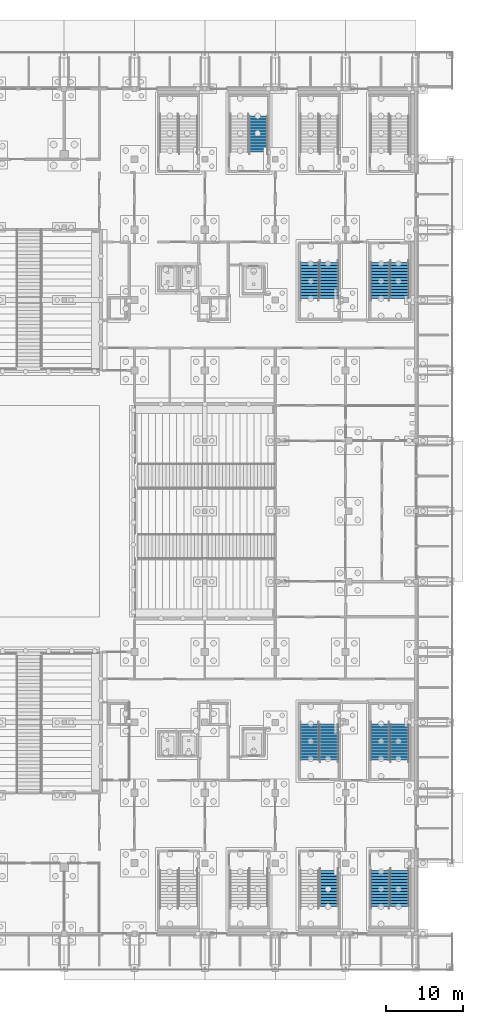
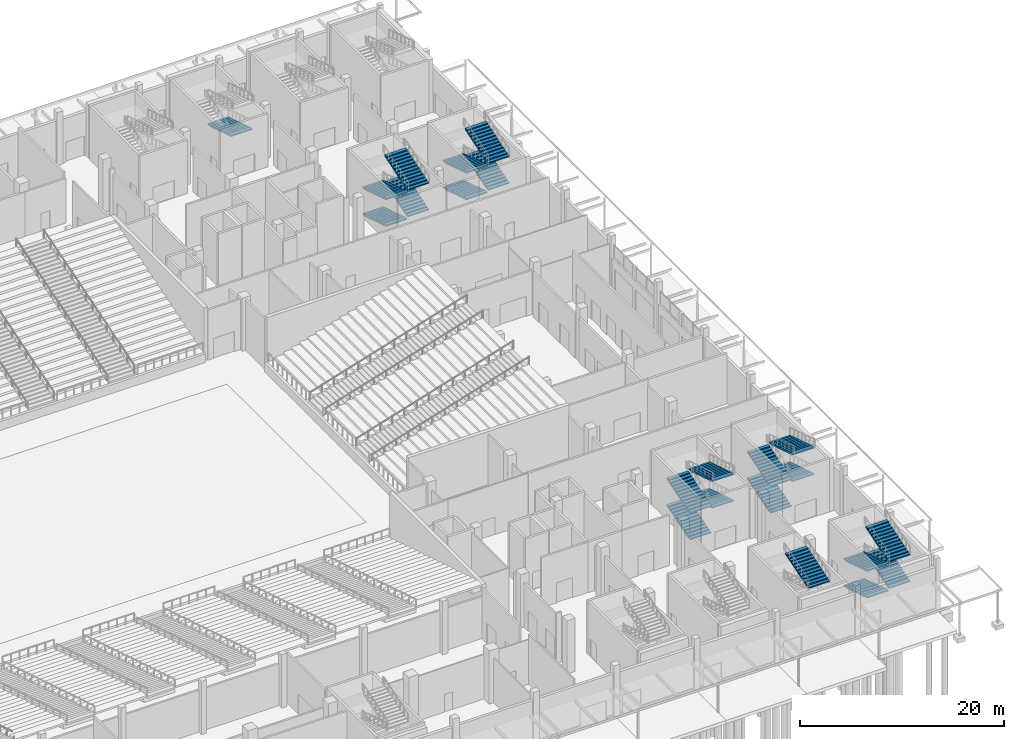
# One storey, part 93 of 129: 22 stair flights, 7 elements without a shape of their own.
"""IFC4 building model written with IfcOpenShell, lengths in metres."""

from ifc_helpers import new_model, si_unit, direction, frame, origin, place, context, subcontext, project, spatial, polyline, outline, extrude, material, type_object, element, aggregate, save


model = new_model("IFC4")

# Units and contexts
model_context = context("Model", 3, precision=1e-05, world=origin(), true_north=direction((0.0, 1.0)))
body_context = subcontext(model_context, "Body", "Model", "MODEL_VIEW")
ifc_project = project(units=[si_unit("LENGTHUNIT", "METRE"), si_unit("AREAUNIT", "SQUARE_METRE"), si_unit("VOLUMEUNIT", "CUBIC_METRE"), si_unit("PLANEANGLEUNIT", "RADIAN"), si_unit("MASSUNIT", "GRAM", prefix="KILO")], contexts=[model_context])

# Site, building, storey
site_placement = place(None, origin())
site = spatial("IfcSite", under=ifc_project, at=site_placement, CompositionType="ELEMENT")
building_placement = place(site_placement, origin())
building = spatial("IfcBuilding", under=site, at=building_placement, Name="Shirokan Park Arena", CompositionType="ELEMENT")
storey_placement = place(building_placement, origin())
storey = spatial("IfcBuildingStorey", under=building, at=storey_placement, Name="L00", CompositionType="ELEMENT", Elevation=0.0)

# Stair, stair flights
ifc_material = material(Name="Concrete C30 precast", Category="concrete")
stair_type = type_object("IfcStairType", Name="Stair 52 risers 122 x 385 2400 wide", PredefinedType="DOUBLE_RETURN_STAIR", material=ifc_material)
stair_1_placement = place(storey_placement, origin())
stair_1 = element("IfcStair", 1, at=stair_1_placement, inside=storey, type_object=stair_type, Name="Exit Stair 2.A L00 to L01", PredefinedType="DOUBLE_RETURN_STAIR")
stair_flight_type = type_object("IfcStairFlightType", Name="Stair flight 13 risers 122 x 385 2400 wide", PredefinedType="STRAIGHT", material=ifc_material)
stair_flight_1_placement = place(storey_placement, frame((140.949951171875, 8.14990234375, 0.0), z_axis=(0.0, 0.0, 1.0), x_axis=(0.0, -1.0, 0.0)))
stair_flight_1 = element("IfcStairFlight", 2, at=stair_flight_1_placement, type_object=stair_flight_type, Name="ST04.1 flight 1", NumberOfRisers=13, NumberOfTreads=12, PredefinedType="STRAIGHT", RiserHeight=0.1225, TreadLength=0.385, context=body_context, shape_type="SweptSolid", body=[
    extrude(outline(polyline([(0.0, 0.0), (0.0, 0.12255859375), (0.385009765625, 0.12255859375), (0.385009765625, 0.2451171875), (0.77001953125, 0.2451171875), (0.77001953125, 0.367431640625), (1.155029296875, 0.367431640625), (1.155029296875, 0.489990234375), (1.5400390625, 0.489990234375), (1.5400390625, 0.612548828125), (1.925048828125, 0.612548828125), (1.925048828125, 0.735107421875), (2.31005859375, 0.735107421875), (2.31005859375, 0.857421875), (2.695068359375, 0.857421875), (2.695068359375, 0.97998046875), (3.080078125, 0.97998046875), (3.080078125, 1.1025390625), (3.465087890625, 1.1025390625), (3.465087890625, 1.22509765625), (3.85009765625, 1.22509765625), (3.85009765625, 1.347412109375), (4.235107421875, 1.347412109375), (4.235107421875, 1.469970703125), (4.6201171875, 1.469970703125), (4.6201171875, 1.592529296875), (4.6201171875, 1.312744140625), (0.494384765625, 0.0), (0.0, 0.0)])), frame((0.0, 1.199951171875, 0.0), z_axis=(0.0, -1.0, 0.0), x_axis=(1.0, 0.0, 0.0)), (0.0, 0.0, 1.0), 2.39990234375),
])
stair_flight_2_placement = place(storey_placement, frame((143.449951171875, 3.530029296875, 1.592529296875), z_axis=(0.0, 0.0, 1.0), x_axis=(0.0, 1.0, 0.0)))
stair_flight_2 = element("IfcStairFlight", 3, at=stair_flight_2_placement, type_object=stair_flight_type, Name="ST04.1 flight 2", NumberOfRisers=13, NumberOfTreads=12, PredefinedType="STRAIGHT", RiserHeight=0.1225, TreadLength=0.385, context=body_context, shape_type="SweptSolid", body=[
    extrude(outline(polyline([(0.0, 0.0), (0.0, 0.12255859375), (0.385009765625, 0.12255859375), (0.385009765625, 0.2451171875), (0.77001953125, 0.2451171875), (0.77001953125, 0.367431640625), (1.155029296875, 0.367431640625), (1.155029296875, 0.489990234375), (1.5400390625, 0.489990234375), (1.5400390625, 0.612548828125), (1.925048828125, 0.612548828125), (1.925048828125, 0.735107421875), (2.31005859375, 0.735107421875), (2.31005859375, 0.857421875), (2.695068359375, 0.857421875), (2.695068359375, 0.97998046875), (3.080078125, 0.97998046875), (3.080078125, 1.1025390625), (3.465087890625, 1.1025390625), (3.465087890625, 1.22509765625), (3.85009765625, 1.22509765625), (3.85009765625, 1.347412109375), (4.235107421875, 1.347412109375), (4.235107421875, 1.469970703125), (4.6201171875, 1.469970703125), (4.6201171875, 1.592529296875), (4.6201171875, 1.312744140625), (0.494384765625, 0.0), (0.0, 0.0)])), frame((0.0, 1.199951171875, 0.0), z_axis=(0.0, -1.0, 0.0), x_axis=(1.0, 0.0, 0.0)), (0.0, 0.0, 1.0), 2.39990234375),
])
stair_flight_3_placement = place(storey_placement, frame((140.949951171875, 8.14990234375, 3.18505859375), z_axis=(0.0, 0.0, 1.0), x_axis=(0.0, -1.0, 0.0)))
stair_flight_3 = element("IfcStairFlight", 4, at=stair_flight_3_placement, type_object=stair_flight_type, Name="ST04.1 flight 3", NumberOfRisers=13, NumberOfTreads=12, PredefinedType="STRAIGHT", RiserHeight=0.1225, TreadLength=0.385, context=body_context, shape_type="SweptSolid", body=[
    extrude(outline(polyline([(0.0, 0.0), (0.0, 0.12255859375), (0.385009765625, 0.12255859375), (0.385009765625, 0.2451171875), (0.77001953125, 0.2451171875), (0.77001953125, 0.367431640625), (1.155029296875, 0.367431640625), (1.155029296875, 0.489990234375), (1.5400390625, 0.489990234375), (1.5400390625, 0.612548828125), (1.925048828125, 0.612548828125), (1.925048828125, 0.735107421875), (2.31005859375, 0.735107421875), (2.31005859375, 0.857421875), (2.695068359375, 0.857421875), (2.695068359375, 0.97998046875), (3.080078125, 0.97998046875), (3.080078125, 1.1025390625), (3.465087890625, 1.1025390625), (3.465087890625, 1.22509765625), (3.85009765625, 1.22509765625), (3.85009765625, 1.347412109375), (4.235107421875, 1.347412109375), (4.235107421875, 1.469970703125), (4.6201171875, 1.469970703125), (4.6201171875, 1.592529296875), (4.6201171875, 1.312744140625), (0.494384765625, 0.0), (0.0, 0.0)])), frame((0.0, 1.199951171875, 0.0), z_axis=(0.0, -1.0, 0.0), x_axis=(1.0, 0.0, 0.0)), (0.0, 0.0, 1.0), 2.39990234375),
])
stair_flight_4_placement = place(storey_placement, frame((143.449951171875, 3.530029296875, 4.777587890625), z_axis=(0.0, 0.0, 1.0), x_axis=(0.0, 1.0, 0.0)))
stair_flight_4 = element("IfcStairFlight", 5, at=stair_flight_4_placement, type_object=stair_flight_type, Name="ST04.1 flight 4", NumberOfRisers=13, NumberOfTreads=12, PredefinedType="STRAIGHT", RiserHeight=0.1225, TreadLength=0.385, context=body_context, shape_type="SweptSolid", body=[
    extrude(outline(polyline([(0.0, 0.0), (0.0, 0.12255859375), (0.385009765625, 0.12255859375), (0.385009765625, 0.2451171875), (0.77001953125, 0.2451171875), (0.77001953125, 0.367431640625), (1.155029296875, 0.367431640625), (1.155029296875, 0.489990234375), (1.5400390625, 0.489990234375), (1.5400390625, 0.612548828125), (1.925048828125, 0.612548828125), (1.925048828125, 0.735107421875), (2.31005859375, 0.735107421875), (2.31005859375, 0.857421875), (2.695068359375, 0.857421875), (2.695068359375, 0.97998046875), (3.080078125, 0.97998046875), (3.080078125, 1.1025390625), (3.465087890625, 1.1025390625), (3.465087890625, 1.22509765625), (3.85009765625, 1.22509765625), (3.85009765625, 1.347412109375), (4.235107421875, 1.347412109375), (4.235107421875, 1.469970703125), (4.6201171875, 1.469970703125), (4.6201171875, 1.592529296875), (4.6201171875, 1.312744140625), (0.494384765625, 0.0), (0.0, 0.0)])), frame((0.0, 1.199951171875, 0.0), z_axis=(0.0, -1.0, 0.0), x_axis=(1.0, 0.0, 0.0)), (0.0, 0.0, 1.0), 2.39990234375),
])
aggregate(stair_1, [stair_flight_1, stair_flight_2, stair_flight_3, stair_flight_4])

# Stair, stair flight
stair_2_placement = place(storey_placement, origin())
stair_2 = element("IfcStair", 6, at=stair_2_placement, inside=storey, type_object=stair_type, Name="Exit Stair 2.B L00 to L01", PredefinedType="DOUBLE_RETURN_STAIR")
stair_flight_5_placement = place(storey_placement, frame((134.35009765625, 3.530029296875, 4.777587890625), z_axis=(0.0, 0.0, 1.0), x_axis=(0.0, 1.0, 0.0)))
stair_flight_5 = element("IfcStairFlight", 7, at=stair_flight_5_placement, type_object=stair_flight_type, Name="ST05.1 flight 4", NumberOfRisers=13, NumberOfTreads=12, PredefinedType="STRAIGHT", RiserHeight=0.1225, TreadLength=0.385, context=body_context, shape_type="SweptSolid", body=[
    extrude(outline(polyline([(0.0, 0.0), (0.0, 0.12255859375), (0.385009765625, 0.12255859375), (0.385009765625, 0.2451171875), (0.77001953125, 0.2451171875), (0.77001953125, 0.367431640625), (1.155029296875, 0.367431640625), (1.155029296875, 0.489990234375), (1.5400390625, 0.489990234375), (1.5400390625, 0.612548828125), (1.925048828125, 0.612548828125), (1.925048828125, 0.735107421875), (2.31005859375, 0.735107421875), (2.31005859375, 0.857421875), (2.695068359375, 0.857421875), (2.695068359375, 0.97998046875), (3.080078125, 0.97998046875), (3.080078125, 1.1025390625), (3.465087890625, 1.1025390625), (3.465087890625, 1.22509765625), (3.85009765625, 1.22509765625), (3.85009765625, 1.347412109375), (4.235107421875, 1.347412109375), (4.235107421875, 1.469970703125), (4.6201171875, 1.469970703125), (4.6201171875, 1.592529296875), (4.6201171875, 1.312744140625), (0.494384765625, 0.0), (0.0, 0.0)])), frame((0.0, 1.199951171875, 0.0), z_axis=(0.0, -1.0, 0.0), x_axis=(1.0, 0.0, 0.0)), (0.0, 0.0, 1.0), 2.39990234375),
])
aggregate(stair_2, [stair_flight_5])

# Stair, stair flights
stair_3_placement = place(storey_placement, origin())
stair_3 = element("IfcStair", 8, at=stair_3_placement, inside=storey, type_object=stair_type, Name="Exit Stair 2.E L00 to L01", PredefinedType="DOUBLE_RETURN_STAIR")
stair_flight_6_placement = place(storey_placement, frame((140.949951171875, 22.449951171875, 0.0), z_axis=(0.0, 0.0, 1.0), x_axis=(0.0, 1.0, 0.0)))
stair_flight_6 = element("IfcStairFlight", 9, at=stair_flight_6_placement, type_object=stair_flight_type, Name="ST08.1 flight 1", NumberOfRisers=13, NumberOfTreads=12, PredefinedType="STRAIGHT", RiserHeight=0.1225, TreadLength=0.385, context=body_context, shape_type="SweptSolid", body=[
    extrude(outline(polyline([(0.0, 0.0), (0.0, 0.12255859375), (0.385009765625, 0.12255859375), (0.385009765625, 0.2451171875), (0.77001953125, 0.2451171875), (0.77001953125, 0.367431640625), (1.155029296875, 0.367431640625), (1.155029296875, 0.489990234375), (1.5400390625, 0.489990234375), (1.5400390625, 0.612548828125), (1.925048828125, 0.612548828125), (1.925048828125, 0.735107421875), (2.31005859375, 0.735107421875), (2.31005859375, 0.857421875), (2.695068359375, 0.857421875), (2.695068359375, 0.97998046875), (3.080078125, 0.97998046875), (3.080078125, 1.1025390625), (3.465087890625, 1.1025390625), (3.465087890625, 1.22509765625), (3.85009765625, 1.22509765625), (3.85009765625, 1.347412109375), (4.235107421875, 1.347412109375), (4.235107421875, 1.469970703125), (4.6201171875, 1.469970703125), (4.6201171875, 1.592529296875), (4.6201171875, 1.312744140625), (0.494384765625, 0.0), (0.0, 0.0)])), frame((0.0, 1.199951171875, 0.0), z_axis=(0.0, -1.0, 0.0), x_axis=(1.0, 0.0, 0.0)), (0.0, 0.0, 1.0), 2.39990234375),
])
stair_flight_7_placement = place(storey_placement, frame((143.449951171875, 27.070068359375, 1.592529296875), z_axis=(0.0, 0.0, 1.0), x_axis=(0.0, -1.0, 0.0)))
stair_flight_7 = element("IfcStairFlight", 10, at=stair_flight_7_placement, type_object=stair_flight_type, Name="ST08.1 flight 2", NumberOfRisers=13, NumberOfTreads=12, PredefinedType="STRAIGHT", RiserHeight=0.1225, TreadLength=0.385, context=body_context, shape_type="SweptSolid", body=[
    extrude(outline(polyline([(0.0, 0.0), (0.0, 0.12255859375), (0.385009765625, 0.12255859375), (0.385009765625, 0.2451171875), (0.77001953125, 0.2451171875), (0.77001953125, 0.367431640625), (1.155029296875, 0.367431640625), (1.155029296875, 0.489990234375), (1.5400390625, 0.489990234375), (1.5400390625, 0.612548828125), (1.925048828125, 0.612548828125), (1.925048828125, 0.735107421875), (2.31005859375, 0.735107421875), (2.31005859375, 0.857421875), (2.695068359375, 0.857421875), (2.695068359375, 0.97998046875), (3.080078125, 0.97998046875), (3.080078125, 1.1025390625), (3.465087890625, 1.1025390625), (3.465087890625, 1.22509765625), (3.85009765625, 1.22509765625), (3.85009765625, 1.347412109375), (4.235107421875, 1.347412109375), (4.235107421875, 1.469970703125), (4.6201171875, 1.469970703125), (4.6201171875, 1.592529296875), (4.6201171875, 1.312744140625), (0.494384765625, 0.0), (0.0, 0.0)])), frame((0.0, 1.199951171875, 0.0), z_axis=(0.0, -1.0, 0.0), x_axis=(1.0, 0.0, 0.0)), (0.0, 0.0, 1.0), 2.39990234375),
])
stair_flight_8_placement = place(storey_placement, frame((140.949951171875, 22.449951171875, 3.18505859375), z_axis=(0.0, 0.0, 1.0), x_axis=(0.0, 1.0, 0.0)))
stair_flight_8 = element("IfcStairFlight", 11, at=stair_flight_8_placement, type_object=stair_flight_type, Name="ST08.1 flight 3", NumberOfRisers=13, NumberOfTreads=12, PredefinedType="STRAIGHT", RiserHeight=0.1225, TreadLength=0.385, context=body_context, shape_type="SweptSolid", body=[
    extrude(outline(polyline([(0.0, 0.0), (0.0, 0.12255859375), (0.385009765625, 0.12255859375), (0.385009765625, 0.2451171875), (0.77001953125, 0.2451171875), (0.77001953125, 0.367431640625), (1.155029296875, 0.367431640625), (1.155029296875, 0.489990234375), (1.5400390625, 0.489990234375), (1.5400390625, 0.612548828125), (1.925048828125, 0.612548828125), (1.925048828125, 0.735107421875), (2.31005859375, 0.735107421875), (2.31005859375, 0.857421875), (2.695068359375, 0.857421875), (2.695068359375, 0.97998046875), (3.080078125, 0.97998046875), (3.080078125, 1.1025390625), (3.465087890625, 1.1025390625), (3.465087890625, 1.22509765625), (3.85009765625, 1.22509765625), (3.85009765625, 1.347412109375), (4.235107421875, 1.347412109375), (4.235107421875, 1.469970703125), (4.6201171875, 1.469970703125), (4.6201171875, 1.592529296875), (4.6201171875, 1.312744140625), (0.494384765625, 0.0), (0.0, 0.0)])), frame((0.0, 1.199951171875, 0.0), z_axis=(0.0, -1.0, 0.0), x_axis=(1.0, 0.0, 0.0)), (0.0, 0.0, 1.0), 2.39990234375),
])
stair_flight_9_placement = place(storey_placement, frame((143.449951171875, 27.070068359375, 4.777587890625), z_axis=(0.0, 0.0, 1.0), x_axis=(0.0, -1.0, 0.0)))
stair_flight_9 = element("IfcStairFlight", 12, at=stair_flight_9_placement, type_object=stair_flight_type, Name="ST08.1 flight 4", NumberOfRisers=13, NumberOfTreads=12, PredefinedType="STRAIGHT", RiserHeight=0.1225, TreadLength=0.385, context=body_context, shape_type="SweptSolid", body=[
    extrude(outline(polyline([(0.0, 0.0), (0.0, 0.12255859375), (0.385009765625, 0.12255859375), (0.385009765625, 0.2451171875), (0.77001953125, 0.2451171875), (0.77001953125, 0.367431640625), (1.155029296875, 0.367431640625), (1.155029296875, 0.489990234375), (1.5400390625, 0.489990234375), (1.5400390625, 0.612548828125), (1.925048828125, 0.612548828125), (1.925048828125, 0.735107421875), (2.31005859375, 0.735107421875), (2.31005859375, 0.857421875), (2.695068359375, 0.857421875), (2.695068359375, 0.97998046875), (3.080078125, 0.97998046875), (3.080078125, 1.1025390625), (3.465087890625, 1.1025390625), (3.465087890625, 1.22509765625), (3.85009765625, 1.22509765625), (3.85009765625, 1.347412109375), (4.235107421875, 1.347412109375), (4.235107421875, 1.469970703125), (4.6201171875, 1.469970703125), (4.6201171875, 1.592529296875), (4.6201171875, 1.312744140625), (0.494384765625, 0.0), (0.0, 0.0)])), frame((0.0, 1.199951171875, 0.0), z_axis=(0.0, -1.0, 0.0), x_axis=(1.0, 0.0, 0.0)), (0.0, 0.0, 1.0), 2.39990234375),
])
aggregate(stair_3, [stair_flight_6, stair_flight_7, stair_flight_8, stair_flight_9])

stair_4_placement = place(storey_placement, origin())
stair_4 = element("IfcStair", 13, at=stair_4_placement, inside=storey, type_object=stair_type, Name="Exit Stair 2.F L00 to L01", PredefinedType="DOUBLE_RETURN_STAIR")
stair_flight_10_placement = place(storey_placement, frame((131.85009765625, 22.449951171875, 0.0), z_axis=(0.0, 0.0, 1.0), x_axis=(0.0, 1.0, 0.0)))
stair_flight_10 = element("IfcStairFlight", 14, at=stair_flight_10_placement, type_object=stair_flight_type, Name="ST09.1 flight 1", NumberOfRisers=13, NumberOfTreads=12, PredefinedType="STRAIGHT", RiserHeight=0.1225, TreadLength=0.385, context=body_context, shape_type="SweptSolid", body=[
    extrude(outline(polyline([(0.0, 0.0), (0.0, 0.12255859375), (0.385009765625, 0.12255859375), (0.385009765625, 0.2451171875), (0.77001953125, 0.2451171875), (0.77001953125, 0.367431640625), (1.155029296875, 0.367431640625), (1.155029296875, 0.489990234375), (1.5400390625, 0.489990234375), (1.5400390625, 0.612548828125), (1.925048828125, 0.612548828125), (1.925048828125, 0.735107421875), (2.31005859375, 0.735107421875), (2.31005859375, 0.857421875), (2.695068359375, 0.857421875), (2.695068359375, 0.97998046875), (3.080078125, 0.97998046875), (3.080078125, 1.1025390625), (3.465087890625, 1.1025390625), (3.465087890625, 1.22509765625), (3.85009765625, 1.22509765625), (3.85009765625, 1.347412109375), (4.235107421875, 1.347412109375), (4.235107421875, 1.469970703125), (4.6201171875, 1.469970703125), (4.6201171875, 1.592529296875), (4.6201171875, 1.312744140625), (0.494384765625, 0.0), (0.0, 0.0)])), frame((0.0, 1.199951171875, 0.0), z_axis=(0.0, -1.0, 0.0), x_axis=(1.0, 0.0, 0.0)), (0.0, 0.0, 1.0), 2.39990234375),
])
stair_flight_11_placement = place(storey_placement, frame((134.35009765625, 27.070068359375, 1.592529296875), z_axis=(0.0, 0.0, 1.0), x_axis=(0.0, -1.0, 0.0)))
stair_flight_11 = element("IfcStairFlight", 15, at=stair_flight_11_placement, type_object=stair_flight_type, Name="ST09.1 flight 2", NumberOfRisers=13, NumberOfTreads=12, PredefinedType="STRAIGHT", RiserHeight=0.1225, TreadLength=0.385, context=body_context, shape_type="SweptSolid", body=[
    extrude(outline(polyline([(0.0, 0.0), (0.0, 0.12255859375), (0.385009765625, 0.12255859375), (0.385009765625, 0.2451171875), (0.77001953125, 0.2451171875), (0.77001953125, 0.367431640625), (1.155029296875, 0.367431640625), (1.155029296875, 0.489990234375), (1.5400390625, 0.489990234375), (1.5400390625, 0.612548828125), (1.925048828125, 0.612548828125), (1.925048828125, 0.735107421875), (2.31005859375, 0.735107421875), (2.31005859375, 0.857421875), (2.695068359375, 0.857421875), (2.695068359375, 0.97998046875), (3.080078125, 0.97998046875), (3.080078125, 1.1025390625), (3.465087890625, 1.1025390625), (3.465087890625, 1.22509765625), (3.85009765625, 1.22509765625), (3.85009765625, 1.347412109375), (4.235107421875, 1.347412109375), (4.235107421875, 1.469970703125), (4.6201171875, 1.469970703125), (4.6201171875, 1.592529296875), (4.6201171875, 1.312744140625), (0.494384765625, 0.0), (0.0, 0.0)])), frame((0.0, 1.199951171875, 0.0), z_axis=(0.0, -1.0, 0.0), x_axis=(1.0, 0.0, 0.0)), (0.0, 0.0, 1.0), 2.39990234375),
])
stair_flight_12_placement = place(storey_placement, frame((131.85009765625, 22.449951171875, 3.18505859375), z_axis=(0.0, 0.0, 1.0), x_axis=(0.0, 1.0, 0.0)))
stair_flight_12 = element("IfcStairFlight", 16, at=stair_flight_12_placement, type_object=stair_flight_type, Name="ST09.1 flight 3", NumberOfRisers=13, NumberOfTreads=12, PredefinedType="STRAIGHT", RiserHeight=0.1225, TreadLength=0.385, context=body_context, shape_type="SweptSolid", body=[
    extrude(outline(polyline([(0.0, 0.0), (0.0, 0.12255859375), (0.385009765625, 0.12255859375), (0.385009765625, 0.2451171875), (0.77001953125, 0.2451171875), (0.77001953125, 0.367431640625), (1.155029296875, 0.367431640625), (1.155029296875, 0.489990234375), (1.5400390625, 0.489990234375), (1.5400390625, 0.612548828125), (1.925048828125, 0.612548828125), (1.925048828125, 0.735107421875), (2.31005859375, 0.735107421875), (2.31005859375, 0.857421875), (2.695068359375, 0.857421875), (2.695068359375, 0.97998046875), (3.080078125, 0.97998046875), (3.080078125, 1.1025390625), (3.465087890625, 1.1025390625), (3.465087890625, 1.22509765625), (3.85009765625, 1.22509765625), (3.85009765625, 1.347412109375), (4.235107421875, 1.347412109375), (4.235107421875, 1.469970703125), (4.6201171875, 1.469970703125), (4.6201171875, 1.592529296875), (4.6201171875, 1.312744140625), (0.494384765625, 0.0), (0.0, 0.0)])), frame((0.0, 1.199951171875, 0.0), z_axis=(0.0, -1.0, 0.0), x_axis=(1.0, 0.0, 0.0)), (0.0, 0.0, 1.0), 2.39990234375),
])
stair_flight_13_placement = place(storey_placement, frame((134.35009765625, 27.070068359375, 4.777587890625), z_axis=(0.0, 0.0, 1.0), x_axis=(0.0, -1.0, 0.0)))
stair_flight_13 = element("IfcStairFlight", 17, at=stair_flight_13_placement, type_object=stair_flight_type, Name="ST09.1 flight 4", NumberOfRisers=13, NumberOfTreads=12, PredefinedType="STRAIGHT", RiserHeight=0.1225, TreadLength=0.385, context=body_context, shape_type="SweptSolid", body=[
    extrude(outline(polyline([(0.0, 0.0), (0.0, 0.12255859375), (0.385009765625, 0.12255859375), (0.385009765625, 0.2451171875), (0.77001953125, 0.2451171875), (0.77001953125, 0.367431640625), (1.155029296875, 0.367431640625), (1.155029296875, 0.489990234375), (1.5400390625, 0.489990234375), (1.5400390625, 0.612548828125), (1.925048828125, 0.612548828125), (1.925048828125, 0.735107421875), (2.31005859375, 0.735107421875), (2.31005859375, 0.857421875), (2.695068359375, 0.857421875), (2.695068359375, 0.97998046875), (3.080078125, 0.97998046875), (3.080078125, 1.1025390625), (3.465087890625, 1.1025390625), (3.465087890625, 1.22509765625), (3.85009765625, 1.22509765625), (3.85009765625, 1.347412109375), (4.235107421875, 1.347412109375), (4.235107421875, 1.469970703125), (4.6201171875, 1.469970703125), (4.6201171875, 1.592529296875), (4.6201171875, 1.312744140625), (0.494384765625, 0.0), (0.0, 0.0)])), frame((0.0, 1.199951171875, 0.0), z_axis=(0.0, -1.0, 0.0), x_axis=(1.0, 0.0, 0.0)), (0.0, 0.0, 1.0), 2.39990234375),
])
aggregate(stair_4, [stair_flight_10, stair_flight_11, stair_flight_12, stair_flight_13])

# Stair, stair flight
stair_5_placement = place(storey_placement, origin())
stair_5 = element("IfcStair", 18, at=stair_5_placement, inside=storey, type_object=stair_type, Name="Exit Stair 3.C L00 to L01", PredefinedType="DOUBLE_RETURN_STAIR")
stair_flight_14_placement = place(storey_placement, frame((125.25, 105.669921875, 1.592529296875), z_axis=(0.0, 0.0, 1.0), x_axis=(0.0, -1.0, 0.0)))
stair_flight_14 = element("IfcStairFlight", 19, at=stair_flight_14_placement, type_object=stair_flight_type, Name="ST18.1 flight 2", NumberOfRisers=13, NumberOfTreads=12, PredefinedType="STRAIGHT", RiserHeight=0.1225, TreadLength=0.385, context=body_context, shape_type="SweptSolid", body=[
    extrude(outline(polyline([(0.0, 0.0), (0.0, 0.12255859375), (0.385009765625, 0.12255859375), (0.385009765625, 0.2451171875), (0.77001953125, 0.2451171875), (0.77001953125, 0.367431640625), (1.155029296875, 0.367431640625), (1.155029296875, 0.489990234375), (1.5400390625, 0.489990234375), (1.5400390625, 0.612548828125), (1.925048828125, 0.612548828125), (1.925048828125, 0.735107421875), (2.31005859375, 0.735107421875), (2.31005859375, 0.857421875), (2.695068359375, 0.857421875), (2.695068359375, 0.97998046875), (3.080078125, 0.97998046875), (3.080078125, 1.1025390625), (3.465087890625, 1.1025390625), (3.465087890625, 1.22509765625), (3.85009765625, 1.22509765625), (3.85009765625, 1.347412109375), (4.235107421875, 1.347412109375), (4.235107421875, 1.469970703125), (4.6201171875, 1.469970703125), (4.6201171875, 1.592529296875), (4.6201171875, 1.312744140625), (0.494384765625, 0.0), (0.0, 0.0)])), frame((0.0, 1.199951171875, 0.0), z_axis=(0.0, -1.0, 0.0), x_axis=(1.0, 0.0, 0.0)), (0.0, 0.0, 1.0), 2.39990234375),
])
aggregate(stair_5, [stair_flight_14])

# Stair, stair flights
stair_6_placement = place(storey_placement, origin())
stair_6 = element("IfcStair", 20, at=stair_6_placement, inside=storey, type_object=stair_type, Name="Exit Stair 3.E L00 to L01", PredefinedType="DOUBLE_RETURN_STAIR")
stair_flight_15_placement = place(storey_placement, frame((140.949951171875, 86.75, 0.0), z_axis=(0.0, 0.0, 1.0), x_axis=(0.0, -1.0, 0.0)))
stair_flight_15 = element("IfcStairFlight", 21, at=stair_flight_15_placement, type_object=stair_flight_type, Name="ST20.1 flight 1", NumberOfRisers=13, NumberOfTreads=12, PredefinedType="STRAIGHT", RiserHeight=0.1225, TreadLength=0.385, context=body_context, shape_type="SweptSolid", body=[
    extrude(outline(polyline([(0.0, 0.0), (0.0, 0.12255859375), (0.385009765625, 0.12255859375), (0.385009765625, 0.2451171875), (0.77001953125, 0.2451171875), (0.77001953125, 0.367431640625), (1.155029296875, 0.367431640625), (1.155029296875, 0.489990234375), (1.5400390625, 0.489990234375), (1.5400390625, 0.612548828125), (1.925048828125, 0.612548828125), (1.925048828125, 0.735107421875), (2.31005859375, 0.735107421875), (2.31005859375, 0.857421875), (2.695068359375, 0.857421875), (2.695068359375, 0.97998046875), (3.080078125, 0.97998046875), (3.080078125, 1.1025390625), (3.465087890625, 1.1025390625), (3.465087890625, 1.22509765625), (3.85009765625, 1.22509765625), (3.85009765625, 1.347412109375), (4.235107421875, 1.347412109375), (4.235107421875, 1.469970703125), (4.6201171875, 1.469970703125), (4.6201171875, 1.592529296875), (4.6201171875, 1.312744140625), (0.494384765625, 0.0), (0.0, 0.0)])), frame((0.0, 1.199951171875, 0.0), z_axis=(0.0, -1.0, 0.0), x_axis=(1.0, 0.0, 0.0)), (0.0, 0.0, 1.0), 2.39990234375),
])
stair_flight_16_placement = place(storey_placement, frame((143.449951171875, 82.1298828125, 1.592529296875), z_axis=(0.0, 0.0, 1.0), x_axis=(0.0, 1.0, 0.0)))
stair_flight_16 = element("IfcStairFlight", 22, at=stair_flight_16_placement, type_object=stair_flight_type, Name="ST20.1 flight 2", NumberOfRisers=13, NumberOfTreads=12, PredefinedType="STRAIGHT", RiserHeight=0.1225, TreadLength=0.385, context=body_context, shape_type="SweptSolid", body=[
    extrude(outline(polyline([(0.0, 0.0), (0.0, 0.12255859375), (0.385009765625, 0.12255859375), (0.385009765625, 0.2451171875), (0.77001953125, 0.2451171875), (0.77001953125, 0.367431640625), (1.155029296875, 0.367431640625), (1.155029296875, 0.489990234375), (1.5400390625, 0.489990234375), (1.5400390625, 0.612548828125), (1.925048828125, 0.612548828125), (1.925048828125, 0.735107421875), (2.31005859375, 0.735107421875), (2.31005859375, 0.857421875), (2.695068359375, 0.857421875), (2.695068359375, 0.97998046875), (3.080078125, 0.97998046875), (3.080078125, 1.1025390625), (3.465087890625, 1.1025390625), (3.465087890625, 1.22509765625), (3.85009765625, 1.22509765625), (3.85009765625, 1.347412109375), (4.235107421875, 1.347412109375), (4.235107421875, 1.469970703125), (4.6201171875, 1.469970703125), (4.6201171875, 1.592529296875), (4.6201171875, 1.312744140625), (0.494384765625, 0.0), (0.0, 0.0)])), frame((0.0, 1.199951171875, 0.0), z_axis=(0.0, -1.0, 0.0), x_axis=(1.0, 0.0, 0.0)), (0.0, 0.0, 1.0), 2.39990234375),
])
stair_flight_17_placement = place(storey_placement, frame((140.949951171875, 86.75, 3.18505859375), z_axis=(0.0, 0.0, 1.0), x_axis=(0.0, -1.0, 0.0)))
stair_flight_17 = element("IfcStairFlight", 23, at=stair_flight_17_placement, type_object=stair_flight_type, Name="ST20.1 flight 3", NumberOfRisers=13, NumberOfTreads=12, PredefinedType="STRAIGHT", RiserHeight=0.1225, TreadLength=0.385, context=body_context, shape_type="SweptSolid", body=[
    extrude(outline(polyline([(0.0, 0.0), (0.0, 0.12255859375), (0.385009765625, 0.12255859375), (0.385009765625, 0.2451171875), (0.77001953125, 0.2451171875), (0.77001953125, 0.367431640625), (1.155029296875, 0.367431640625), (1.155029296875, 0.489990234375), (1.5400390625, 0.489990234375), (1.5400390625, 0.612548828125), (1.925048828125, 0.612548828125), (1.925048828125, 0.735107421875), (2.31005859375, 0.735107421875), (2.31005859375, 0.857421875), (2.695068359375, 0.857421875), (2.695068359375, 0.97998046875), (3.080078125, 0.97998046875), (3.080078125, 1.1025390625), (3.465087890625, 1.1025390625), (3.465087890625, 1.22509765625), (3.85009765625, 1.22509765625), (3.85009765625, 1.347412109375), (4.235107421875, 1.347412109375), (4.235107421875, 1.469970703125), (4.6201171875, 1.469970703125), (4.6201171875, 1.592529296875), (4.6201171875, 1.312744140625), (0.494384765625, 0.0), (0.0, 0.0)])), frame((0.0, 1.199951171875, 0.0), z_axis=(0.0, -1.0, 0.0), x_axis=(1.0, 0.0, 0.0)), (0.0, 0.0, 1.0), 2.39990234375),
])
stair_flight_18_placement = place(storey_placement, frame((143.449951171875, 82.1298828125, 4.777587890625), z_axis=(0.0, 0.0, 1.0), x_axis=(0.0, 1.0, 0.0)))
stair_flight_18 = element("IfcStairFlight", 24, at=stair_flight_18_placement, type_object=stair_flight_type, Name="ST20.1 flight 4", NumberOfRisers=13, NumberOfTreads=12, PredefinedType="STRAIGHT", RiserHeight=0.1225, TreadLength=0.385, context=body_context, shape_type="SweptSolid", body=[
    extrude(outline(polyline([(0.0, 0.0), (0.0, 0.12255859375), (0.385009765625, 0.12255859375), (0.385009765625, 0.2451171875), (0.77001953125, 0.2451171875), (0.77001953125, 0.367431640625), (1.155029296875, 0.367431640625), (1.155029296875, 0.489990234375), (1.5400390625, 0.489990234375), (1.5400390625, 0.612548828125), (1.925048828125, 0.612548828125), (1.925048828125, 0.735107421875), (2.31005859375, 0.735107421875), (2.31005859375, 0.857421875), (2.695068359375, 0.857421875), (2.695068359375, 0.97998046875), (3.080078125, 0.97998046875), (3.080078125, 1.1025390625), (3.465087890625, 1.1025390625), (3.465087890625, 1.22509765625), (3.85009765625, 1.22509765625), (3.85009765625, 1.347412109375), (4.235107421875, 1.347412109375), (4.235107421875, 1.469970703125), (4.6201171875, 1.469970703125), (4.6201171875, 1.592529296875), (4.6201171875, 1.312744140625), (0.494384765625, 0.0), (0.0, 0.0)])), frame((0.0, 1.199951171875, 0.0), z_axis=(0.0, -1.0, 0.0), x_axis=(1.0, 0.0, 0.0)), (0.0, 0.0, 1.0), 2.39990234375),
])
aggregate(stair_6, [stair_flight_15, stair_flight_16, stair_flight_17, stair_flight_18])

stair_7_placement = place(storey_placement, origin())
stair_7 = element("IfcStair", 25, at=stair_7_placement, inside=storey, type_object=stair_type, Name="Exit Stair 3.F L00 to L01", PredefinedType="DOUBLE_RETURN_STAIR")
stair_flight_19_placement = place(storey_placement, frame((131.85009765625, 86.75, 0.0), z_axis=(0.0, 0.0, 1.0), x_axis=(0.0, -1.0, 0.0)))
stair_flight_19 = element("IfcStairFlight", 26, at=stair_flight_19_placement, type_object=stair_flight_type, Name="ST21.1 flight 1", NumberOfRisers=13, NumberOfTreads=12, PredefinedType="STRAIGHT", RiserHeight=0.1225, TreadLength=0.385, context=body_context, shape_type="SweptSolid", body=[
    extrude(outline(polyline([(0.0, 0.0), (0.0, 0.12255859375), (0.385009765625, 0.12255859375), (0.385009765625, 0.2451171875), (0.77001953125, 0.2451171875), (0.77001953125, 0.367431640625), (1.155029296875, 0.367431640625), (1.155029296875, 0.489990234375), (1.5400390625, 0.489990234375), (1.5400390625, 0.612548828125), (1.925048828125, 0.612548828125), (1.925048828125, 0.735107421875), (2.31005859375, 0.735107421875), (2.31005859375, 0.857421875), (2.695068359375, 0.857421875), (2.695068359375, 0.97998046875), (3.080078125, 0.97998046875), (3.080078125, 1.1025390625), (3.465087890625, 1.1025390625), (3.465087890625, 1.22509765625), (3.85009765625, 1.22509765625), (3.85009765625, 1.347412109375), (4.235107421875, 1.347412109375), (4.235107421875, 1.469970703125), (4.6201171875, 1.469970703125), (4.6201171875, 1.592529296875), (4.6201171875, 1.312744140625), (0.494384765625, 0.0), (0.0, 0.0)])), frame((0.0, 1.199951171875, 0.0), z_axis=(0.0, -1.0, 0.0), x_axis=(1.0, 0.0, 0.0)), (0.0, 0.0, 1.0), 2.39990234375),
])
stair_flight_20_placement = place(storey_placement, frame((134.35009765625, 82.1298828125, 1.592529296875), z_axis=(0.0, 0.0, 1.0), x_axis=(0.0, 1.0, 0.0)))
stair_flight_20 = element("IfcStairFlight", 27, at=stair_flight_20_placement, type_object=stair_flight_type, Name="ST21.1 flight 2", NumberOfRisers=13, NumberOfTreads=12, PredefinedType="STRAIGHT", RiserHeight=0.1225, TreadLength=0.385, context=body_context, shape_type="SweptSolid", body=[
    extrude(outline(polyline([(0.0, 0.0), (0.0, 0.12255859375), (0.385009765625, 0.12255859375), (0.385009765625, 0.2451171875), (0.77001953125, 0.2451171875), (0.77001953125, 0.367431640625), (1.155029296875, 0.367431640625), (1.155029296875, 0.489990234375), (1.5400390625, 0.489990234375), (1.5400390625, 0.612548828125), (1.925048828125, 0.612548828125), (1.925048828125, 0.735107421875), (2.31005859375, 0.735107421875), (2.31005859375, 0.857421875), (2.695068359375, 0.857421875), (2.695068359375, 0.97998046875), (3.080078125, 0.97998046875), (3.080078125, 1.1025390625), (3.465087890625, 1.1025390625), (3.465087890625, 1.22509765625), (3.85009765625, 1.22509765625), (3.85009765625, 1.347412109375), (4.235107421875, 1.347412109375), (4.235107421875, 1.469970703125), (4.6201171875, 1.469970703125), (4.6201171875, 1.592529296875), (4.6201171875, 1.312744140625), (0.494384765625, 0.0), (0.0, 0.0)])), frame((0.0, 1.199951171875, 0.0), z_axis=(0.0, -1.0, 0.0), x_axis=(1.0, 0.0, 0.0)), (0.0, 0.0, 1.0), 2.39990234375),
])
stair_flight_21_placement = place(storey_placement, frame((131.85009765625, 86.75, 3.18505859375), z_axis=(0.0, 0.0, 1.0), x_axis=(0.0, -1.0, 0.0)))
stair_flight_21 = element("IfcStairFlight", 28, at=stair_flight_21_placement, type_object=stair_flight_type, Name="ST21.1 flight 3", NumberOfRisers=13, NumberOfTreads=12, PredefinedType="STRAIGHT", RiserHeight=0.1225, TreadLength=0.385, context=body_context, shape_type="SweptSolid", body=[
    extrude(outline(polyline([(0.0, 0.0), (0.0, 0.12255859375), (0.385009765625, 0.12255859375), (0.385009765625, 0.2451171875), (0.77001953125, 0.2451171875), (0.77001953125, 0.367431640625), (1.155029296875, 0.367431640625), (1.155029296875, 0.489990234375), (1.5400390625, 0.489990234375), (1.5400390625, 0.612548828125), (1.925048828125, 0.612548828125), (1.925048828125, 0.735107421875), (2.31005859375, 0.735107421875), (2.31005859375, 0.857421875), (2.695068359375, 0.857421875), (2.695068359375, 0.97998046875), (3.080078125, 0.97998046875), (3.080078125, 1.1025390625), (3.465087890625, 1.1025390625), (3.465087890625, 1.22509765625), (3.85009765625, 1.22509765625), (3.85009765625, 1.347412109375), (4.235107421875, 1.347412109375), (4.235107421875, 1.469970703125), (4.6201171875, 1.469970703125), (4.6201171875, 1.592529296875), (4.6201171875, 1.312744140625), (0.494384765625, 0.0), (0.0, 0.0)])), frame((0.0, 1.199951171875, 0.0), z_axis=(0.0, -1.0, 0.0), x_axis=(1.0, 0.0, 0.0)), (0.0, 0.0, 1.0), 2.39990234375),
])
stair_flight_22_placement = place(storey_placement, frame((134.35009765625, 82.1298828125, 4.777587890625), z_axis=(0.0, 0.0, 1.0), x_axis=(0.0, 1.0, 0.0)))
stair_flight_22 = element("IfcStairFlight", 29, at=stair_flight_22_placement, type_object=stair_flight_type, Name="ST21.1 flight 4", NumberOfRisers=13, NumberOfTreads=12, PredefinedType="STRAIGHT", RiserHeight=0.1225, TreadLength=0.385, context=body_context, shape_type="SweptSolid", body=[
    extrude(outline(polyline([(0.0, 0.0), (0.0, 0.12255859375), (0.385009765625, 0.12255859375), (0.385009765625, 0.2451171875), (0.77001953125, 0.2451171875), (0.77001953125, 0.367431640625), (1.155029296875, 0.367431640625), (1.155029296875, 0.489990234375), (1.5400390625, 0.489990234375), (1.5400390625, 0.612548828125), (1.925048828125, 0.612548828125), (1.925048828125, 0.735107421875), (2.31005859375, 0.735107421875), (2.31005859375, 0.857421875), (2.695068359375, 0.857421875), (2.695068359375, 0.97998046875), (3.080078125, 0.97998046875), (3.080078125, 1.1025390625), (3.465087890625, 1.1025390625), (3.465087890625, 1.22509765625), (3.85009765625, 1.22509765625), (3.85009765625, 1.347412109375), (4.235107421875, 1.347412109375), (4.235107421875, 1.469970703125), (4.6201171875, 1.469970703125), (4.6201171875, 1.592529296875), (4.6201171875, 1.312744140625), (0.494384765625, 0.0), (0.0, 0.0)])), frame((0.0, 1.199951171875, 0.0), z_axis=(0.0, -1.0, 0.0), x_axis=(1.0, 0.0, 0.0)), (0.0, 0.0, 1.0), 2.39990234375),
])
aggregate(stair_7, [stair_flight_19, stair_flight_20, stair_flight_21, stair_flight_22])

save(model, "model.ifc")
